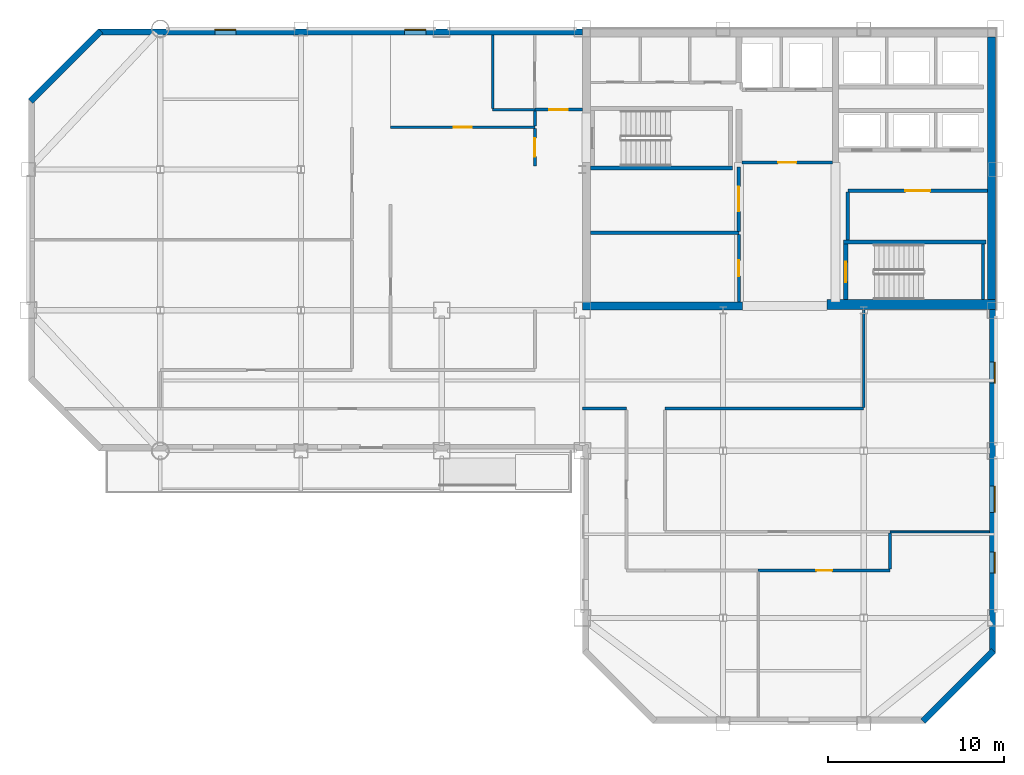
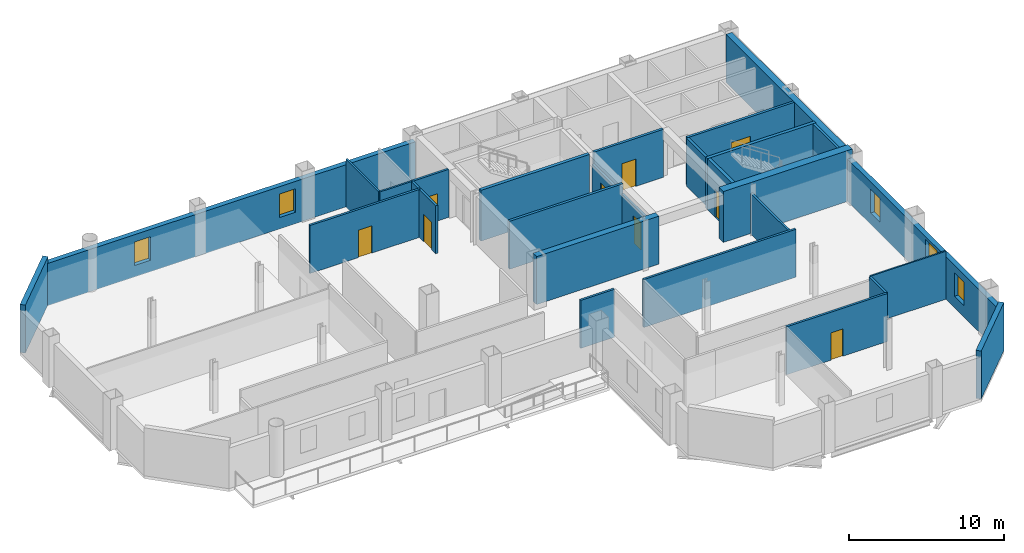
# One storey, part 5 of 10: 29 walls, 9 doors, 5 windows, 14 openings.
"""IFC4 building model written with IfcOpenShell, lengths in metres."""

from ifc_helpers import new_model, si_unit, direction, frame, frame_2d, origin, place, context, subcontext, project, spatial, rectangle, extrude, material, layer, layer_set, type_object, element, fill, save


model = new_model("IFC4")

# Units and contexts
model_context = context("Model", 3, precision=1e-05, world=origin(), true_north=direction((0.0, 1.0)))
body_context = subcontext(model_context, "Body", "Model", "MODEL_VIEW")
ifc_project = project(units=[si_unit("LENGTHUNIT", "METRE"), si_unit("AREAUNIT", "SQUARE_METRE"), si_unit("VOLUMEUNIT", "CUBIC_METRE"), si_unit("PLANEANGLEUNIT", "RADIAN"), si_unit("MASSUNIT", "GRAM", prefix="KILO")], contexts=[model_context])

# Site, building, storey
site_placement = place(None, origin())
site = spatial("IfcSite", under=ifc_project, at=site_placement, CompositionType="ELEMENT")
building_placement = place(site_placement, origin())
building = spatial("IfcBuilding", under=site, at=building_placement, Name="Qianrong Seaharbour Tower", CompositionType="ELEMENT")
storey_placement = place(building_placement, frame((0.0, 0.0, 237.800048828125)))
storey = spatial("IfcBuildingStorey", under=building, at=storey_placement, Name="L57", CompositionType="ELEMENT", Elevation=237.800048828125)

# Walls
ifc_material_1 = material(Name="Concrete C60/75", Category="concrete")
ifc_layer_1 = layer(ifc_material_1, 0.4599609375)
ifc_layer_set_1 = layer_set([ifc_layer_1], Name="Concrete C60/75")
wall_type_1 = type_object("IfcWallType", Name="WALL-CORE-460", PredefinedType="SHEAR", material=ifc_layer_set_1)
wall_1_placement = place(storey_placement, frame((63.77001953125, 36.320068359375, 0.0), z_axis=(0.0, 0.0, 1.0), x_axis=(0.0, 1.0, 0.0)))
element("IfcWall", 1, at=wall_1_placement, inside=storey, type_object=wall_type_1, Name="L57 East Core Shear Wall", PredefinedType="SHEAR", context=body_context, shape_type="SweptSolid", body=[
    extrude(rectangle(XDim=15.219970703125, YDim=0.4599609375, at=frame_2d((7.60986328125, 0.0))), origin(), (0.0, 0.0, 1.0), 3.77490234375),
])
wall_2_placement = place(storey_placement, frame((40.5, 36.22998046875, 0.0), z_axis=(0.0, 0.0, 1.0), x_axis=(1.0, 0.0, 0.0)))
element("IfcWall", 2, at=wall_2_placement, inside=storey, type_object=wall_type_1, Name="L57 South Core Shear Wall S1", PredefinedType="SHEAR", context=body_context, shape_type="SweptSolid", body=[
    extrude(rectangle(XDim=9.10009765625, YDim=0.4599609375, at=frame_2d((4.550048828125, 0.0))), origin(), (0.0, 0.0, 1.0), 3.77490234375),
])
ifc_material_2 = material(Name="Concrete C70/85", Category="concrete")
ifc_layer_2 = layer(ifc_material_2, 0.580078125)
ifc_layer_set_2 = layer_set([ifc_layer_2], Name="Concrete C70/85")
wall_type_2 = type_object("IfcWallType", Name="WALL-CORE-580", PredefinedType="SHEAR", material=ifc_layer_set_2)
wall_3_placement = place(storey_placement, frame((54.39990234375, 36.320068359375, 0.0), z_axis=(0.0, 0.0, 1.0), x_axis=(1.0, 0.0, 0.0)))
element("IfcWall", 3, at=wall_3_placement, inside=storey, type_object=wall_type_2, Name="L57 South Core Shear Wall S3", PredefinedType="SHEAR", context=body_context, shape_type="SweptSolid", body=[
    extrude(rectangle(XDim=9.60009765625, YDim=0.580078125, at=frame_2d((4.800048828125, 0.0))), origin(), (0.0, 0.0, 1.0), 4.0),
])

# Wall, opening, door
ifc_material_3 = material(Name="Fire-rated acoustic gypsum board partition")
ifc_layer_3 = layer(ifc_material_3, 0.1650390625)
ifc_layer_set_3 = layer_set([ifc_layer_3], Name="Fire-rated acoustic gypsum board partition")
wall_type_3 = type_object("IfcWallType", Name="WALL-CORR-PART-165", PredefinedType="PARTITIONING", material=ifc_layer_set_3)
wall_4_placement = place(storey_placement, frame((37.800048828125, 47.39990234375, 0.0), z_axis=(0.0, 0.0, 1.0), x_axis=(1.0, 0.0, 0.0)))
wall_4 = element("IfcWall", 4, at=wall_4_placement, inside=storey, type_object=wall_type_3, Name="L57 Interior Partition Wall 001", PredefinedType="PARTITIONING", context=body_context, shape_type="SweptSolid", body=[
    extrude(rectangle(XDim=2.699951171875, YDim=0.1650390625, at=frame_2d((1.35009765625, 0.0))), origin(), (0.0, 0.0, 1.0), 3.77490234375),
])
opening_1_placement = place(wall_4_placement, frame((0.824951171875, 0.0, 0.0)))
opening_1 = element("IfcOpeningElement", 5, at=opening_1_placement, cuts=wall_4, Name="Opening DC-01", PredefinedType="OPENING", context=body_context, shape_type="SweptSolid", body=[
    extrude(rectangle(XDim=1.050048828125, YDim=2.14990234375, at=frame_2d((0.52490234375, 1.074951171875))), frame((0.0, 0.092529296875, 0.0), z_axis=(0.0, -1.0, 0.0), x_axis=(1.0, 0.0, 0.0)), (0.0, 0.0, 1.0), 0.18505859375),
])
ifc_material_4 = material(Name="Acoustic timber and galvanized steel fire door assembly", Category="steel")
door_type_1 = type_object("IfcDoorType", Name="DOOR-CORR-FD60-1050x2150", OperationType="NOTDEFINED", PredefinedType="DOOR", material=ifc_material_4)
door_1_placement = place(opening_1_placement, origin())
door_1 = element("IfcDoor", 6, at=door_1_placement, inside=storey, type_object=door_type_1, Name="L57 Smokeproof Stair Vestibule ST-1 Door", OperationType="SINGLE_SWING_RIGHT", OverallHeight=2.14990234375, OverallWidth=1.050048828125, PredefinedType="DOOR", context=body_context, shape_type="SweptSolid", body=[
    extrude(rectangle(XDim=1.050048828125, YDim=2.14990234375, at=frame_2d((0.52490234375, 1.074951171875))), frame((0.0, 0.02490234375, 0.0), z_axis=(0.0, -1.0, 0.0), x_axis=(1.0, 0.0, 0.0)), (0.0, 0.0, 1.0), 0.050048828125),
])
fill(opening_1, door_1)

wall_5_placement = place(storey_placement, frame((37.800048828125, 44.199951171875, 0.0), z_axis=(0.0, 0.0, 1.0), x_axis=(0.0, 1.0, 0.0)))
wall_5 = element("IfcWall", 7, at=wall_5_placement, inside=storey, type_object=wall_type_3, Name="L57 Interior Partition Wall 002", PredefinedType="PARTITIONING", context=body_context, shape_type="SweptSolid", body=[
    extrude(rectangle(XDim=2.12548828125, YDim=0.1650390625, at=frame_2d((1.062744140625, 0.0))), origin(), (0.0, 0.0, 1.0), 3.77490234375),
])
opening_2_placement = place(wall_5_placement, frame((0.537841796875, 0.0, 0.0)))
opening_2 = element("IfcOpeningElement", 8, at=opening_2_placement, cuts=wall_5, Name="Opening DC-01", PredefinedType="OPENING", context=body_context, shape_type="SweptSolid", body=[
    extrude(rectangle(XDim=1.050048828125, YDim=2.14990234375, at=frame_2d((0.52490234375, 1.074951171875))), frame((0.0, 0.092529296875, 0.0), z_axis=(0.0, -1.0, 0.0), x_axis=(1.0, 0.0, 0.0)), (0.0, 0.0, 1.0), 0.18505859375),
])
door_2_placement = place(opening_2_placement, origin())
door_2 = element("IfcDoor", 9, at=door_2_placement, inside=storey, type_object=door_type_1, Name="L57 Smokeproof Stair Vestibule ST-1 Door", OperationType="SINGLE_SWING_LEFT", OverallHeight=2.14990234375, OverallWidth=1.050048828125, PredefinedType="DOOR", context=body_context, shape_type="SweptSolid", body=[
    extrude(rectangle(XDim=1.050048828125, YDim=2.14990234375, at=frame_2d((0.52490234375, 1.074951171875))), frame((0.0, 0.02490234375, 0.0), z_axis=(0.0, -1.0, 0.0), x_axis=(1.0, 0.0, 0.0)), (0.0, 0.0, 1.0), 0.050048828125),
])
fill(opening_2, door_2)

# Wall
wall_6_placement = place(storey_placement, frame((37.800048828125, 46.474609375, 0.0), z_axis=(0.0, 0.0, 1.0), x_axis=(0.0, 1.0, 0.0)))
element("IfcWall", 10, at=wall_6_placement, inside=storey, type_object=wall_type_3, Name="L57 Interior Partition Wall 003", PredefinedType="PARTITIONING", context=body_context, shape_type="SweptSolid", body=[
    extrude(rectangle(XDim=0.850830078125, YDim=0.1650390625, at=frame_2d((0.42529296875, 0.0))), origin(), (0.0, 0.0, 1.0), 3.77490234375),
])

# Wall, opening, door
wall_7_placement = place(storey_placement, frame((49.39990234375, 36.4599609375, 0.0), z_axis=(0.0, 0.0, 1.0), x_axis=(0.0, 1.0, 0.0)))
wall_7 = element("IfcWall", 11, at=wall_7_placement, inside=storey, type_object=wall_type_3, Name="L57 Interior Partition Wall 011", PredefinedType="PARTITIONING", context=body_context, shape_type="SweptSolid", body=[
    extrude(rectangle(XDim=3.85302734375, YDim=0.1650390625, at=frame_2d((1.926513671875, 0.0))), origin(), (0.0, 0.0, 1.0), 3.016845703125),
])
opening_3_placement = place(wall_7_placement, frame((1.4765625, 0.0, 0.0)))
opening_3 = element("IfcOpeningElement", 12, at=opening_3_placement, cuts=wall_7, Name="Opening DS-01", PredefinedType="OPENING", context=body_context, shape_type="SweptSolid", body=[
    extrude(rectangle(XDim=0.89990234375, YDim=2.14990234375, at=frame_2d((0.449951171875, 1.074951171875))), frame((0.0, 0.092529296875, 0.0), z_axis=(0.0, -1.0, 0.0), x_axis=(1.0, 0.0, 0.0)), (0.0, 0.0, 1.0), 0.18505859375),
])
door_type_2 = type_object("IfcDoorType", Name="DOOR-STORE-900x2150", OperationType="NOTDEFINED", PredefinedType="DOOR", material=ifc_material_4)
door_3_placement = place(opening_3_placement, origin())
door_3 = element("IfcDoor", 13, at=door_3_placement, inside=storey, type_object=door_type_2, Name="L57 Corporate Archive Room Door", OperationType="SINGLE_SWING_RIGHT", OverallHeight=2.14990234375, OverallWidth=0.89990234375, PredefinedType="DOOR", context=body_context, shape_type="SweptSolid", body=[
    extrude(rectangle(XDim=0.89990234375, YDim=2.14990234375, at=frame_2d((0.449951171875, 1.074951171875))), frame((0.0, 0.02490234375, 0.0), z_axis=(0.0, -1.0, 0.0), x_axis=(1.0, 0.0, 0.0)), (0.0, 0.0, 1.0), 0.050048828125),
])
fill(opening_3, door_3)

wall_8_placement = place(storey_placement, frame((29.60009765625, 46.39990234375, 0.0), z_axis=(0.0, 0.0, 1.0), x_axis=(1.0, 0.0, 0.0)))
wall_8 = element("IfcWall", 14, at=wall_8_placement, inside=storey, type_object=wall_type_3, Name="L57 Interior Partition Wall 025", PredefinedType="PARTITIONING", context=body_context, shape_type="SweptSolid", body=[
    extrude(rectangle(XDim=8.199951171875, YDim=0.1650390625, at=frame_2d((4.10009765625, 0.0))), origin(), (0.0, 0.0, 1.0), 3.77490234375),
])
opening_4_placement = place(wall_8_placement, frame((3.60009765625, 0.0, 0.0)))
opening_4 = element("IfcOpeningElement", 15, at=opening_4_placement, cuts=wall_8, Name="Opening DO-01", PredefinedType="OPENING", context=body_context, shape_type="SweptSolid", body=[
    extrude(rectangle(XDim=1.0, YDim=2.14990234375, at=frame_2d((0.5, 1.074951171875))), frame((0.0, 0.092529296875, 0.0), z_axis=(0.0, -1.0, 0.0), x_axis=(1.0, 0.0, 0.0)), (0.0, 0.0, 1.0), 0.18505859375),
])
door_type_3 = type_object("IfcDoorType", Name="DOOR-OFFICE-1000x2150", OperationType="NOTDEFINED", PredefinedType="DOOR", material=ifc_material_4)
door_4_placement = place(opening_4_placement, origin())
door_4 = element("IfcDoor", 16, at=door_4_placement, inside=storey, type_object=door_type_3, Name="L57 Digital Media Hall 2 Door", OperationType="SINGLE_SWING_LEFT", OverallHeight=2.14990234375, OverallWidth=1.0, PredefinedType="DOOR", context=body_context, shape_type="SweptSolid", body=[
    extrude(rectangle(XDim=1.0, YDim=2.14990234375, at=frame_2d((0.5, 1.074951171875))), frame((0.0, 0.02490234375, 0.0), z_axis=(0.0, -1.0, 0.0), x_axis=(1.0, 0.0, 0.0)), (0.0, 0.0, 1.0), 0.050048828125),
])
fill(opening_4, door_4)

# Walls
wall_9_placement = place(storey_placement, frame((56.5, 36.0, 0.0), z_axis=(0.0, 0.0, 1.0), x_axis=(0.0, -1.0, 0.0)))
element("IfcWall", 17, at=wall_9_placement, inside=storey, type_object=wall_type_3, Name="L57 Interior Partition Wall 027", PredefinedType="PARTITIONING", context=body_context, shape_type="SweptSolid", body=[
    extrude(rectangle(XDim=5.525390625, YDim=0.1650390625, at=frame_2d((2.7626953125, 0.0))), origin(), (0.0, 0.0, 1.0), 3.178955078125),
])
wall_10_placement = place(storey_placement, frame((56.5, 30.39990234375, 0.0), z_axis=(0.0, 0.0, 1.0), x_axis=(-1.0, 0.0, 0.0)))
element("IfcWall", 18, at=wall_10_placement, inside=storey, type_object=wall_type_3, Name="L57 Interior Partition Wall 028", PredefinedType="PARTITIONING", context=body_context, shape_type="SweptSolid", body=[
    extrude(rectangle(XDim=11.300048828125, YDim=0.1650390625, at=frame_2d((5.64990234375, 0.0))), origin(), (0.0, 0.0, 1.0), 3.77490234375),
])
wall_11_placement = place(storey_placement, frame((43.0, 30.39990234375, 0.0), z_axis=(0.0, 0.0, 1.0), x_axis=(-1.0, 0.0, 0.0)))
element("IfcWall", 19, at=wall_11_placement, inside=storey, type_object=wall_type_3, Name="L57 Interior Partition Wall 029", PredefinedType="PARTITIONING", context=body_context, shape_type="SweptSolid", body=[
    extrude(rectangle(XDim=2.5, YDim=0.1650390625, at=frame_2d((1.25, 0.0))), origin(), (0.0, 0.0, 1.0), 3.77490234375),
])
wall_12_placement = place(storey_placement, frame((58.0, 23.325439453125, 0.0), z_axis=(0.0, 0.0, 1.0), x_axis=(0.0, -1.0, 0.0)))
element("IfcWall", 20, at=wall_12_placement, inside=storey, type_object=wall_type_3, Name="L57 Interior Partition Wall 035", PredefinedType="PARTITIONING", context=body_context, shape_type="SweptSolid", body=[
    extrude(rectangle(XDim=2.051025390625, YDim=0.1650390625, at=frame_2d((1.025390625, 0.0))), origin(), (0.0, 0.0, 1.0), 3.77490234375),
])

# Wall, opening, door
wall_13_placement = place(storey_placement, frame((58.0, 21.199951171875, 0.0), z_axis=(0.0, 0.0, 1.0), x_axis=(-1.0, 0.0, 0.0)))
wall_13 = element("IfcWall", 21, at=wall_13_placement, inside=storey, type_object=wall_type_3, Name="L57 Interior Partition Wall 036", PredefinedType="PARTITIONING", context=body_context, shape_type="SweptSolid", body=[
    extrude(rectangle(XDim=7.5, YDim=0.1650390625, at=frame_2d((3.75, 0.0))), origin(), (0.0, 0.0, 1.0), 3.77490234375),
])
opening_5_placement = place(wall_13_placement, frame((3.300048828125, 0.0, 0.0)))
opening_5 = element("IfcOpeningElement", 22, at=opening_5_placement, cuts=wall_13, Name="Opening DS-01", PredefinedType="OPENING", context=body_context, shape_type="SweptSolid", body=[
    extrude(rectangle(XDim=0.89990234375, YDim=2.14990234375, at=frame_2d((0.449951171875, 1.074951171875))), frame((0.0, 0.092529296875, 0.0), z_axis=(0.0, -1.0, 0.0), x_axis=(1.0, 0.0, 0.0)), (0.0, 0.0, 1.0), 0.18505859375),
])
door_5_placement = place(opening_5_placement, origin())
door_5 = element("IfcDoor", 23, at=door_5_placement, inside=storey, type_object=door_type_2, Name="L57 Corporate Archive Room 2 Door", OperationType="SINGLE_SWING_LEFT", OverallHeight=2.14990234375, OverallWidth=0.89990234375, PredefinedType="DOOR", context=body_context, shape_type="SweptSolid", body=[
    extrude(rectangle(XDim=0.89990234375, YDim=2.14990234375, at=frame_2d((0.449951171875, 1.074951171875))), frame((0.0, 0.02490234375, 0.0), z_axis=(0.0, -1.0, 0.0), x_axis=(1.0, 0.0, 0.0)), (0.0, 0.0, 1.0), 0.050048828125),
])
fill(opening_5, door_5)

# Walls
ifc_material_5 = material(Name="Demountable aluminium-framed acoustic office partition", Category="aluminium")
ifc_layer_4 = layer(ifc_material_5, 0.110107421875)
ifc_layer_set_4 = layer_set([ifc_layer_4], Name="Demountable aluminium-framed acoustic office partition")
wall_type_4 = type_object("IfcWallType", Name="WALL-DEMOUNT-110", PredefinedType="MOVABLE", material=ifc_layer_set_4)
wall_14_placement = place(storey_placement, frame((63.64794921875, 23.39990234375, 0.0), z_axis=(0.0, 0.0, 1.0), x_axis=(-1.0, 0.0, 0.0)))
element("IfcWall", 24, at=wall_14_placement, inside=storey, type_object=wall_type_4, Name="L57 Interior Partition Wall 039", PredefinedType="MOVABLE", context=body_context, shape_type="SweptSolid", body=[
    extrude(rectangle(XDim=5.64794921875, YDim=0.110107421875, at=frame_2d((2.823974609375, 0.0))), origin(), (0.0, 0.0, 1.0), 3.77490234375),
])
ifc_material_6 = material(Name="Unitised red brick on Precast concrete C45/55", Category="masonry")
ifc_layer_5 = layer(ifc_material_6, 0.360107421875)
ifc_layer_set_5 = layer_set([ifc_layer_5], Name="Unitised red brick on Precast concrete C45/55")
wall_type_5 = type_object("IfcWallType", Name="WALL-EXT-BRICK-RED-360", PredefinedType="SOLIDWALL", material=ifc_layer_set_5)
wall_15_placement = place(storey_placement, frame((9.127197265625, 47.872802734375, 0.0), z_axis=(0.0, 0.0, 1.0), x_axis=(0.707106781187, 0.707106781187, 0.0)))
element("IfcWall", 25, at=wall_15_placement, inside=storey, type_object=wall_type_5, Name="L57 Exterior Masonry Facade Wall E04", PredefinedType="SOLIDWALL", context=body_context, shape_type="SweptSolid", body=[
    extrude(rectangle(XDim=5.65673828125, YDim=0.360107421875, at=frame_2d((2.828369140625, 0.0))), origin(), (0.0, 0.0, 1.0), 3.77490234375),
])

# Wall, openings, windows
wall_16_placement = place(storey_placement, frame((13.0, 51.820068359375, 0.0), z_axis=(0.0, 0.0, 1.0), x_axis=(1.0, 0.0, 0.0)))
wall_16 = element("IfcWall", 26, at=wall_16_placement, inside=storey, type_object=wall_type_5, Name="L57 Exterior Masonry Facade Wall NORTH_WING", PredefinedType="SOLIDWALL", context=body_context, shape_type="SweptSolid", body=[
    extrude(rectangle(XDim=27.52001953125, YDim=0.360107421875, at=frame_2d((13.760009765625, 0.0))), origin(), (0.0, 0.0, 1.0), 3.324951171875),
])
opening_6_placement = place(wall_16_placement, frame((6.60009765625, 0.0, 0.89990234375)))
opening_6 = element("IfcOpeningElement", 27, at=opening_6_placement, cuts=wall_16, Name="Opening WN-01", PredefinedType="OPENING", context=body_context, shape_type="SweptSolid", body=[
    extrude(rectangle(XDim=1.199951171875, YDim=1.85009765625, at=frame_2d((0.60009765625, 0.925048828125))), frame((0.0, 0.18994140625, 0.0), z_axis=(0.0, -1.0, 0.0), x_axis=(1.0, 0.0, 0.0)), (0.0, 0.0, 1.0), 0.380126953125),
])
opening_7_placement = place(wall_16_placement, frame((17.39990234375, 0.0, 0.89990234375)))
opening_7 = element("IfcOpeningElement", 28, at=opening_7_placement, cuts=wall_16, Name="Opening WN-01", PredefinedType="OPENING", context=body_context, shape_type="SweptSolid", body=[
    extrude(rectangle(XDim=1.199951171875, YDim=1.85009765625, at=frame_2d((0.60009765625, 0.925048828125))), frame((0.0, 0.18994140625, 0.0), z_axis=(0.0, -1.0, 0.0), x_axis=(1.0, 0.0, 0.0)), (0.0, 0.0, 1.0), 0.380126953125),
])
ifc_material_7 = material(Name="Insulated low-e double glazing in thermally broken aluminium 6063-T6 frame", Category="aluminium")
window_type_1 = type_object("IfcWindowType", Name="WIN-PUNCH-1200x1850", PartitioningType="DOUBLE_PANEL_VERTICAL", PredefinedType="WINDOW", material=ifc_material_7)
window_1_placement = place(opening_6_placement, origin())
window_1 = element("IfcWindow", 29, at=window_1_placement, inside=storey, type_object=window_type_1, Name="L57 Deep-Set Punched Window 05.02", OverallHeight=1.85009765625, OverallWidth=1.199951171875, PartitioningType="DOUBLE_PANEL_VERTICAL", PredefinedType="WINDOW", context=body_context, shape_type="SweptSolid", body=[
    extrude(rectangle(XDim=1.199951171875, YDim=1.85009765625, at=frame_2d((0.60009765625, 0.925048828125))), frame((0.0, 0.150146484375, 0.0), z_axis=(0.0, -1.0, 0.0), x_axis=(1.0, 0.0, 0.0)), (0.0, 0.0, 1.0), 0.06005859375),
])
fill(opening_6, window_1)
window_2_placement = place(opening_7_placement, origin())
window_2 = element("IfcWindow", 30, at=window_2_placement, inside=storey, type_object=window_type_1, Name="L57 Deep-Set Punched Window 05.05", OverallHeight=1.85009765625, OverallWidth=1.199951171875, PartitioningType="DOUBLE_PANEL_VERTICAL", PredefinedType="WINDOW", context=body_context, shape_type="SweptSolid", body=[
    extrude(rectangle(XDim=1.199951171875, YDim=1.85009765625, at=frame_2d((0.60009765625, 0.925048828125))), frame((0.0, 0.150146484375, 0.0), z_axis=(0.0, -1.0, 0.0), x_axis=(1.0, 0.0, 0.0)), (0.0, 0.0, 1.0), 0.06005859375),
])
fill(opening_7, window_2)

wall_17_placement = place(storey_placement, frame((63.820068359375, 36.050048828125, 0.0), z_axis=(0.0, 0.0, 1.0), x_axis=(0.0, -1.0, 0.0)))
wall_17 = element("IfcWall", 31, at=wall_17_placement, inside=storey, type_object=wall_type_5, Name="L57 Exterior Masonry Facade Wall EAST_WING", PredefinedType="SOLIDWALL", context=body_context, shape_type="SweptSolid", body=[
    extrude(rectangle(XDim=19.550048828125, YDim=0.360107421875, at=frame_2d((9.77490234375, 0.0))), origin(), (0.0, 0.0, 1.0), 3.324951171875),
])
opening_8_placement = place(wall_17_placement, frame((3.0, 0.0, 0.89990234375)))
opening_8 = element("IfcOpeningElement", 32, at=opening_8_placement, cuts=wall_17, Name="Opening WN-01", PredefinedType="OPENING", context=body_context, shape_type="SweptSolid", body=[
    extrude(rectangle(XDim=1.199951171875, YDim=1.85009765625, at=frame_2d((0.60009765625, 0.925048828125))), frame((0.0, 0.18994140625, 0.0), z_axis=(0.0, -1.0, 0.0), x_axis=(1.0, 0.0, 0.0)), (0.0, 0.0, 1.0), 0.380126953125),
])
opening_9_placement = place(wall_17_placement, frame((10.050048828125, 0.0, 0.699951171875)))
opening_9 = element("IfcOpeningElement", 33, at=opening_9_placement, cuts=wall_17, Name="Opening WN-08", PredefinedType="OPENING", context=body_context, shape_type="SweptSolid", body=[
    extrude(rectangle(XDim=1.5, YDim=2.39990234375, at=frame_2d((0.75, 1.199951171875))), frame((0.0, 0.18994140625, 0.0), z_axis=(0.0, -1.0, 0.0), x_axis=(1.0, 0.0, 0.0)), (0.0, 0.0, 1.0), 0.380126953125),
])
opening_10_placement = place(wall_17_placement, frame((13.800048828125, 0.0, 0.89990234375)))
opening_10 = element("IfcOpeningElement", 34, at=opening_10_placement, cuts=wall_17, Name="Opening WN-01", PredefinedType="OPENING", context=body_context, shape_type="SweptSolid", body=[
    extrude(rectangle(XDim=1.199951171875, YDim=1.85009765625, at=frame_2d((0.60009765625, 0.925048828125))), frame((0.0, 0.18994140625, 0.0), z_axis=(0.0, -1.0, 0.0), x_axis=(1.0, 0.0, 0.0)), (0.0, 0.0, 1.0), 0.380126953125),
])
window_3_placement = place(opening_8_placement, origin())
window_3 = element("IfcWindow", 35, at=window_3_placement, inside=storey, type_object=window_type_1, Name="L57 Deep-Set Punched Window 06.01", OverallHeight=1.85009765625, OverallWidth=1.199951171875, PartitioningType="DOUBLE_PANEL_VERTICAL", PredefinedType="WINDOW", context=body_context, shape_type="SweptSolid", body=[
    extrude(rectangle(XDim=1.199951171875, YDim=1.85009765625, at=frame_2d((0.60009765625, 0.925048828125))), frame((0.0, 0.150146484375, 0.0), z_axis=(0.0, -1.0, 0.0), x_axis=(1.0, 0.0, 0.0)), (0.0, 0.0, 1.0), 0.06005859375),
])
fill(opening_8, window_3)
window_4_placement = place(opening_10_placement, origin())
window_4 = element("IfcWindow", 36, at=window_4_placement, inside=storey, type_object=window_type_1, Name="L57 Deep-Set Punched Window 06.04", OverallHeight=1.85009765625, OverallWidth=1.199951171875, PartitioningType="DOUBLE_PANEL_VERTICAL", PredefinedType="WINDOW", context=body_context, shape_type="SweptSolid", body=[
    extrude(rectangle(XDim=1.199951171875, YDim=1.85009765625, at=frame_2d((0.60009765625, 0.925048828125))), frame((0.0, 0.150146484375, 0.0), z_axis=(0.0, -1.0, 0.0), x_axis=(1.0, 0.0, 0.0)), (0.0, 0.0, 1.0), 0.06005859375),
])
fill(opening_10, window_4)
window_type_2 = type_object("IfcWindowType", Name="WIN-PUNCH-1500x2400", PartitioningType="DOUBLE_PANEL_HORIZONTAL", PredefinedType="WINDOW", material=ifc_material_7)
window_5_placement = place(opening_9_placement, origin())
window_5 = element("IfcWindow", 37, at=window_5_placement, inside=storey, type_object=window_type_2, Name="L57 Deep-Set Punched Window 06.03", OverallHeight=2.39990234375, OverallWidth=1.5, PartitioningType="DOUBLE_PANEL_HORIZONTAL", PredefinedType="WINDOW", context=body_context, shape_type="SweptSolid", body=[
    extrude(rectangle(XDim=1.5, YDim=2.39990234375, at=frame_2d((0.75, 1.199951171875))), frame((0.0, 0.150146484375, 0.0), z_axis=(0.0, -1.0, 0.0), x_axis=(1.0, 0.0, 0.0)), (0.0, 0.0, 1.0), 0.06005859375),
])
fill(opening_9, window_5)

# Wall
wall_18_placement = place(storey_placement, frame((63.872802734375, 16.627197265625, 0.0), z_axis=(0.0, 0.0, 1.0), x_axis=(-0.707106781187, -0.707106781187, 0.0)))
element("IfcWall", 38, at=wall_18_placement, inside=storey, type_object=wall_type_5, Name="L57 Exterior Masonry Facade Wall E07", PredefinedType="SOLIDWALL", context=body_context, shape_type="SweptSolid", body=[
    extrude(rectangle(XDim=5.65673828125, YDim=0.360107421875, at=frame_2d((2.828369140625, 0.0))), origin(), (0.0, 0.0, 1.0), 3.77490234375),
])

# Wall, opening, door
ifc_material_8 = material(Name="Double fire-rated gypsum board acoustic partition")
ifc_layer_6 = layer(ifc_material_8, 0.18994140625)
ifc_layer_set_6 = layer_set([ifc_layer_6], Name="Double fire-rated gypsum board acoustic partition")
wall_type_6 = type_object("IfcWallType", Name="WALL-FIRE-PART-190", PredefinedType="PARTITIONING", material=ifc_layer_set_6)
wall_19_placement = place(storey_placement, frame((54.73291015625, 44.39990234375, 0.0), z_axis=(0.0, 0.0, 1.0), x_axis=(-1.0, 0.0, 0.0)))
wall_19 = element("IfcWall", 39, at=wall_19_placement, inside=storey, type_object=wall_type_6, Name="L57 Interior Partition Wall 010", PredefinedType="PARTITIONING", context=body_context, shape_type="SweptSolid", body=[
    extrude(rectangle(XDim=5.166015625, YDim=0.18994140625, at=frame_2d((2.5830078125, 0.0))), origin(), (0.0, 0.0, 1.0), 3.77490234375),
])
opening_11_placement = place(wall_19_placement, frame((2.05810546875, 0.0, 0.0)))
opening_11 = element("IfcOpeningElement", 40, at=opening_11_placement, cuts=wall_19, Name="Opening DC-01", PredefinedType="OPENING", context=body_context, shape_type="SweptSolid", body=[
    extrude(rectangle(XDim=1.050048828125, YDim=2.14990234375, at=frame_2d((0.52490234375, 1.074951171875))), frame((0.0, 0.10498046875, 0.0), z_axis=(0.0, -1.0, 0.0), x_axis=(1.0, 0.0, 0.0)), (0.0, 0.0, 1.0), 0.2099609375),
])
door_6_placement = place(opening_11_placement, origin())
door_6 = element("IfcDoor", 41, at=door_6_placement, inside=storey, type_object=door_type_1, Name="L57 Firefighting Lift Lobby Door", OperationType="SINGLE_SWING_LEFT", OverallHeight=2.14990234375, OverallWidth=1.050048828125, PredefinedType="DOOR", context=body_context, shape_type="SweptSolid", body=[
    extrude(rectangle(XDim=1.050048828125, YDim=2.14990234375, at=frame_2d((0.52490234375, 1.074951171875))), frame((0.0, 0.02490234375, 0.0), z_axis=(0.0, -1.0, 0.0), x_axis=(1.0, 0.0, 0.0)), (0.0, 0.0, 1.0), 0.050048828125),
])
fill(opening_11, door_6)

wall_20_placement = place(storey_placement, frame((49.39990234375, 40.487060546875, 0.0), z_axis=(0.0, 0.0, 1.0), x_axis=(0.0, 1.0, 0.0)))
wall_20 = element("IfcWall", 42, at=wall_20_placement, inside=storey, type_object=wall_type_6, Name="L57 Interior Partition Wall 012", PredefinedType="PARTITIONING", context=body_context, shape_type="SweptSolid", body=[
    extrude(rectangle(XDim=3.662841796875, YDim=0.18994140625, at=frame_2d((1.83154296875, 0.0))), origin(), (0.0, 0.0, 1.0), 3.016845703125),
])
opening_12_placement = place(wall_20_placement, frame((1.131591796875, 0.0, 0.0)))
opening_12 = element("IfcOpeningElement", 43, at=opening_12_placement, cuts=wall_20, Name="Opening DP-01", PredefinedType="OPENING", context=body_context, shape_type="SweptSolid", body=[
    extrude(rectangle(XDim=1.39990234375, YDim=2.25, at=frame_2d((0.699951171875, 1.125))), frame((0.0, 0.10498046875, 0.0), z_axis=(0.0, -1.0, 0.0), x_axis=(1.0, 0.0, 0.0)), (0.0, 0.0, 1.0), 0.2099609375),
])
door_type_4 = type_object("IfcDoorType", Name="DOOR-PLANT-PAIR-1400x2250", OperationType="DOUBLE_DOOR_SINGLE_SWING", PredefinedType="DOOR", material=ifc_material_4)
door_7_placement = place(opening_12_placement, origin())
door_7 = element("IfcDoor", 44, at=door_7_placement, inside=storey, type_object=door_type_4, Name="L57 Telecom Server Room Door", OperationType="DOUBLE_DOOR_SINGLE_SWING", OverallHeight=2.25, OverallWidth=1.39990234375, PredefinedType="DOOR", context=body_context, shape_type="SweptSolid", body=[
    extrude(rectangle(XDim=1.39990234375, YDim=2.25, at=frame_2d((0.699951171875, 1.125))), frame((0.0, 0.02490234375, 0.0), z_axis=(0.0, -1.0, 0.0), x_axis=(1.0, 0.0, 0.0)), (0.0, 0.0, 1.0), 0.050048828125),
])
fill(opening_12, door_7)

# Walls
wall_21_placement = place(storey_placement, frame((55.60009765625, 42.712890625, 0.0), z_axis=(0.0, 0.0, 1.0), x_axis=(0.0, -1.0, 0.0)))
element("IfcWall", 45, at=wall_21_placement, inside=storey, type_object=wall_type_6, Name="L57 Interior Partition Wall 013", PredefinedType="PARTITIONING", context=body_context, shape_type="SweptSolid", body=[
    extrude(rectangle(XDim=2.73095703125, YDim=0.18994140625, at=frame_2d((1.365478515625, 0.0))), origin(), (0.0, 0.0, 1.0), 3.77490234375),
])
wall_22_placement = place(storey_placement, frame((40.9599609375, 40.39990234375, 0.0), z_axis=(0.0, 0.0, 1.0), x_axis=(1.0, 0.0, 0.0)))
element("IfcWall", 46, at=wall_22_placement, inside=storey, type_object=wall_type_6, Name="L57 Interior Partition Wall 014", PredefinedType="PARTITIONING", context=body_context, shape_type="SweptSolid", body=[
    extrude(rectangle(XDim=8.43994140625, YDim=0.18994140625, at=frame_2d((4.219970703125, 0.0))), origin(), (0.0, 0.0, 1.0), 3.77490234375),
])

# Wall, opening, door
wall_23_placement = place(storey_placement, frame((63.5400390625, 42.800048828125, 0.0), z_axis=(0.0, 0.0, 1.0), x_axis=(-1.0, 0.0, 0.0)))
wall_23 = element("IfcWall", 47, at=wall_23_placement, inside=storey, type_object=wall_type_6, Name="L57 Interior Partition Wall 015", PredefinedType="PARTITIONING", context=body_context, shape_type="SweptSolid", body=[
    extrude(rectangle(XDim=7.93994140625, YDim=0.18994140625, at=frame_2d((3.969970703125, 0.0))), origin(), (0.0, 0.0, 1.0), 3.77490234375),
])
opening_13_placement = place(wall_23_placement, frame((3.27001953125, 0.0, 0.0)))
opening_13 = element("IfcOpeningElement", 48, at=opening_13_placement, cuts=wall_23, Name="Opening DP-01", PredefinedType="OPENING", context=body_context, shape_type="SweptSolid", body=[
    extrude(rectangle(XDim=1.39990234375, YDim=2.25, at=frame_2d((0.699951171875, 1.125))), frame((0.0, 0.10498046875, 0.0), z_axis=(0.0, -1.0, 0.0), x_axis=(1.0, 0.0, 0.0)), (0.0, 0.0, 1.0), 0.2099609375),
])
door_8_placement = place(opening_13_placement, origin())
door_8 = element("IfcDoor", 49, at=door_8_placement, inside=storey, type_object=door_type_4, Name="L57 Core Telecom Hub Room Door", OperationType="DOUBLE_DOOR_SINGLE_SWING", OverallHeight=2.25, OverallWidth=1.39990234375, PredefinedType="DOOR", context=body_context, shape_type="SweptSolid", body=[
    extrude(rectangle(XDim=1.39990234375, YDim=2.25, at=frame_2d((0.699951171875, 1.125))), frame((0.0, 0.02490234375, 0.0), z_axis=(0.0, -1.0, 0.0), x_axis=(1.0, 0.0, 0.0)), (0.0, 0.0, 1.0), 0.050048828125),
])
fill(opening_13, door_8)

# Walls
ifc_material_9 = material(Name="Concrete C50/60", Category="concrete")
ifc_layer_7 = layer(ifc_material_9, 0.239990234375)
ifc_layer_set_7 = layer_set([ifc_layer_7], Name="Concrete C50/60")
wall_type_7 = type_object("IfcWallType", Name="WALL-SHAFT-RC240", PredefinedType="SOLIDWALL", material=ifc_layer_set_7)
wall_24_placement = place(storey_placement, frame((49.0400390625, 44.080078125, 0.0), z_axis=(0.0, 0.0, 1.0), x_axis=(-1.0, 0.0, 0.0)))
element("IfcWall", 50, at=wall_24_placement, inside=storey, type_object=wall_type_7, Name="L57 ST-1 Structural Stair Core Wall S", PredefinedType="SOLIDWALL", context=body_context, shape_type="SweptSolid", body=[
    extrude(rectangle(XDim=8.080078125, YDim=0.239990234375, at=frame_2d((4.0400390625, 0.0))), origin(), (0.0, 0.0, 1.0), 4.0),
])
wall_25_placement = place(storey_placement, frame((55.360107421875, 39.8701171875, 0.0), z_axis=(0.0, 0.0, 1.0), x_axis=(1.0, 0.0, 0.0)))
element("IfcWall", 51, at=wall_25_placement, inside=storey, type_object=wall_type_7, Name="L57 ST-2 Structural Stair Core Wall N", PredefinedType="SOLIDWALL", context=body_context, shape_type="SweptSolid", body=[
    extrude(rectangle(XDim=8.079833984375, YDim=0.239990234375, at=frame_2d((4.0400390625, 0.0))), origin(), (0.0, 0.0, 1.0), 4.0),
])

# Wall, opening, door
wall_26_placement = place(storey_placement, frame((55.47998046875, 39.75, 0.0), z_axis=(0.0, 0.0, 1.0), x_axis=(0.0, -1.0, 0.0)))
wall_26 = element("IfcWall", 52, at=wall_26_placement, inside=storey, type_object=wall_type_7, Name="L57 ST-2 Structural Stair Core Wall W", PredefinedType="SOLIDWALL", context=body_context, shape_type="SweptSolid", body=[
    extrude(rectangle(XDim=3.14990234375, YDim=0.239990234375, at=frame_2d((1.574951171875, 0.0))), origin(), (0.0, 0.0, 1.0), 4.0),
])
opening_14_placement = place(wall_26_placement, frame((1.0, 0.0, 0.0)))
opening_14 = element("IfcOpeningElement", 53, at=opening_14_placement, cuts=wall_26, Name="Opening SD-01", PredefinedType="OPENING", context=body_context, shape_type="SweptSolid", body=[
    extrude(rectangle(XDim=1.14990234375, YDim=2.199951171875, at=frame_2d((0.574951171875, 1.10009765625))), frame((0.0, 0.1298828125, 0.0), z_axis=(0.0, -1.0, 0.0), x_axis=(1.0, 0.0, 0.0)), (0.0, 0.0, 1.0), 0.260009765625),
])
door_type_5 = type_object("IfcDoorType", Name="DOOR-STAIR-FD60-1150x2200", OperationType="NOTDEFINED", PredefinedType="DOOR", material=ifc_material_4)
door_9_placement = place(opening_14_placement, origin())
door_9 = element("IfcDoor", 54, at=door_9_placement, inside=storey, type_object=door_type_5, Name="L57 ST-2 Protected Stair Door", OperationType="SINGLE_SWING_RIGHT", OverallHeight=2.199951171875, OverallWidth=1.14990234375, PredefinedType="DOOR", context=body_context, shape_type="SweptSolid", body=[
    extrude(rectangle(XDim=1.14990234375, YDim=2.199951171875, at=frame_2d((0.574951171875, 1.10009765625))), frame((0.0, 0.02490234375, 0.0), z_axis=(0.0, -1.0, 0.0), x_axis=(1.0, 0.0, 0.0)), (0.0, 0.0, 1.0), 0.050048828125),
])
fill(opening_14, door_9)

# Walls
wall_27_placement = place(storey_placement, frame((63.2900390625, 36.60009765625, 0.0), z_axis=(0.0, 0.0, 1.0), x_axis=(0.0, 1.0, 0.0)))
element("IfcWall", 55, at=wall_27_placement, inside=storey, type_object=wall_type_7, Name="L57 ST-2 Structural Stair Core Wall E", PredefinedType="SOLIDWALL", context=body_context, shape_type="SweptSolid", body=[
    extrude(rectangle(XDim=3.14990234375, YDim=0.179931640625, at=frame_2d((1.574951171875, 0.0))), origin(), (0.0, 0.0, 1.0), 4.0),
])
ifc_material_10 = material(Name="Water-resistant cement board sanitary partition")
ifc_layer_8 = layer(ifc_material_10, 0.1298828125)
ifc_layer_set_8 = layer_set([ifc_layer_8], Name="Water-resistant cement board sanitary partition")
wall_type_8 = type_object("IfcWallType", Name="WALL-WET-PART-130", PredefinedType="PARTITIONING", material=ifc_layer_set_8)
wall_28_placement = place(storey_placement, frame((37.800048828125, 47.39990234375, 0.0), z_axis=(0.0, 0.0, 1.0), x_axis=(-1.0, 0.0, 0.0)))
element("IfcWall", 56, at=wall_28_placement, inside=storey, type_object=wall_type_8, Name="L57 Interior Partition Wall 005", PredefinedType="PARTITIONING", context=body_context, shape_type="SweptSolid", body=[
    extrude(rectangle(XDim=2.400146484375, YDim=0.1298828125, at=frame_2d((1.2001953125, 0.0))), origin(), (0.0, 0.0, 1.0), 3.77490234375),
])
wall_29_placement = place(storey_placement, frame((35.39990234375, 47.45703125, 0.0), z_axis=(0.0, 0.0, 1.0), x_axis=(0.0, 1.0, 0.0)))
element("IfcWall", 57, at=wall_29_placement, inside=storey, type_object=wall_type_8, Name="L57 Interior Partition Wall 006", PredefinedType="PARTITIONING", context=body_context, shape_type="SweptSolid", body=[
    extrude(rectangle(XDim=4.19091796875, YDim=0.1298828125, at=frame_2d((2.095458984375, 0.0))), origin(), (0.0, 0.0, 1.0), 3.77490234375),
])

save(model, "model.ifc")
